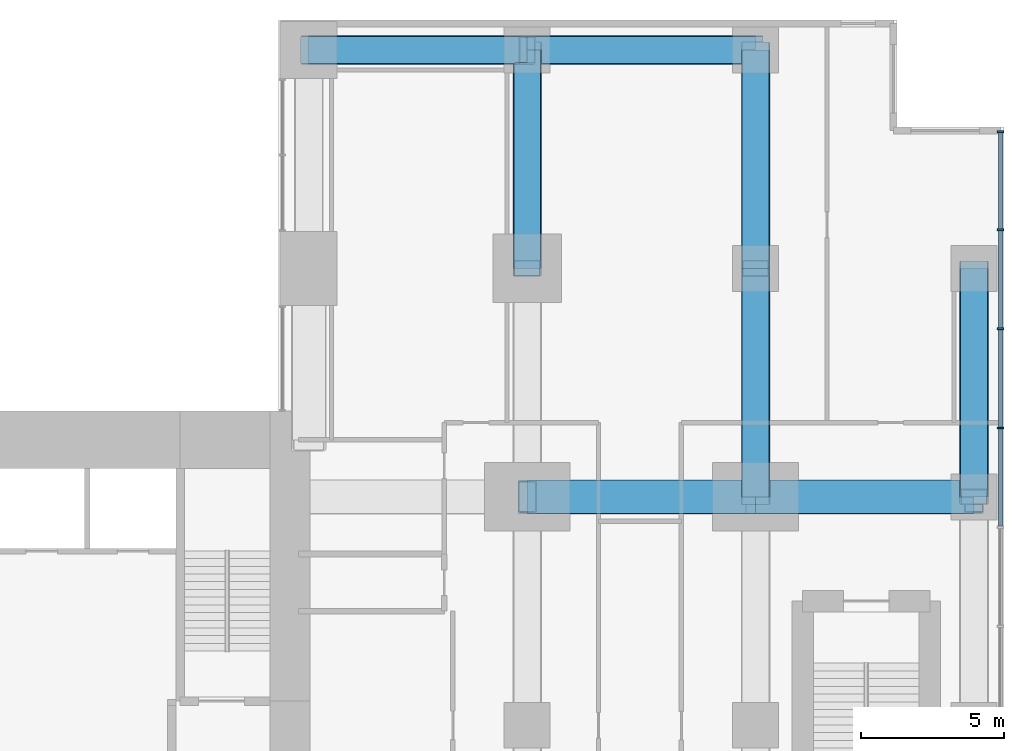
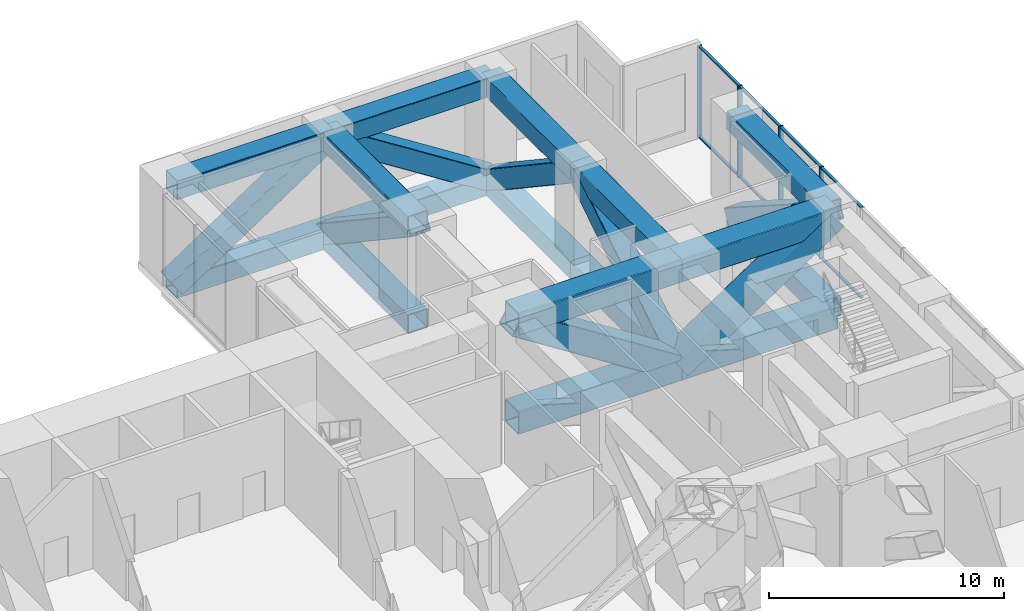
# One storey, part 5 of 10: 36 members, 1 element without a shape of its own.
"""IFC4 building model written with IfcOpenShell, lengths in metres."""

import ifcopenshell
import ifcopenshell.guid

model = None  # the IFC model being written
_history = None  # IfcOwnerHistory: only IFC2X3 demands one
_inside = {}  # id of a spatial element -> (the spatial element, [elements in it])
_under = {}  # id of a project, library or spatial element -> (it, [spatial elements below it])
_declared = {}  # id of a project -> (the project, [libraries it declares])
_typed = {}  # id of a type object -> (the type object, [elements of that type])
_made_of = {}  # id of a material, layer set ... -> (it, [elements and type objects made of it])


def new_model(schema):
    """Start an empty IFC model of exactly this schema.

    Asked for "IFC4X3", IfcOpenShell would pick the latest addendum, in which some entities
    have other attributes; the version numbers below select the first issue.
    IFC2X3 requires an IfcOwnerHistory on every rooted entity: one is made here for all.
    """
    global model, _history
    if schema == "IFC4X3":
        model = ifcopenshell.file(schema_version=(4, 3, 0, 0))
    else:
        model = ifcopenshell.file(schema=schema)
    _inside.clear()
    _under.clear()
    _declared.clear()
    _typed.clear()
    _made_of.clear()
    _history = None
    if model.schema == "IFC2X3":
        org = make("IfcOrganization", Name="unknown")
        user = make(
            "IfcPersonAndOrganization",
            ThePerson=make("IfcPerson", FamilyName="unknown"),
            TheOrganization=org,
        )
        app = make(
            "IfcApplication",
            ApplicationDeveloper=org,
            Version="unknown",
            ApplicationFullName="unknown",
            ApplicationIdentifier="unknown",
        )
        _history = make(
            "IfcOwnerHistory",
            OwningUser=user,
            OwningApplication=app,
            ChangeAction="ADDED",
            CreationDate=0,
        )
    return model


def make(cls, **values):
    """One entity of the class cls with the attributes given. An attribute that is None is left unset."""
    return model.create_entity(
        cls, **{name: value for name, value in values.items() if value is not None}
    )


def rooted(cls, **values):
    """An entity with a GlobalId (a new one), such as an element, a storey or a relation."""
    return make(cls, GlobalId=ifcopenshell.guid.new(), OwnerHistory=_history, **values)


def si_unit(unit_type, name, prefix=None):
    """IfcSIUnit, for example si_unit("LENGTHUNIT", "METRE", prefix="MILLI")."""
    return make("IfcSIUnit", UnitType=unit_type, Prefix=prefix, Name=name)


def assignment(units):
    """IfcUnitAssignment: the units of a project."""
    return None if units is None else make("IfcUnitAssignment", Units=units)


def point(xyz):
    """IfcCartesianPoint."""
    return None if xyz is None else make("IfcCartesianPoint", Coordinates=xyz)


def direction(xyz):
    """IfcDirection."""
    return None if xyz is None else make("IfcDirection", DirectionRatios=xyz)


def frame(location, z_axis=None, x_axis=None):
    """IfcAxis2Placement3D, a coordinate frame: its origin and axes. An axis left out is left unset."""
    return make(
        "IfcAxis2Placement3D",
        Location=point(location),
        Axis=direction(z_axis),
        RefDirection=direction(x_axis),
    )


def frame_2d(location, x_axis=None):
    """IfcAxis2Placement2D, a coordinate frame in the plane: its origin and x axis."""
    return make(
        "IfcAxis2Placement2D", Location=point(location), RefDirection=direction(x_axis)
    )


def origin():
    """The frame at (0, 0, 0) with its axes left unset."""
    return frame((0.0, 0.0, 0.0))


def origin_2d():
    """The frame at (0, 0) in the plane with its x axis left unset."""
    return frame_2d((0.0, 0.0))


def place(relative_to, where):
    """IfcLocalPlacement: puts the frame where relative to a parent placement (None: the world)."""
    return make(
        "IfcLocalPlacement", PlacementRelTo=relative_to, RelativePlacement=where
    )


def context(
    kind, dimensions, precision=None, world=None, true_north=None, identifier=None
):
    """IfcGeometricRepresentationContext, for example the 3D "Model" context."""
    return make(
        "IfcGeometricRepresentationContext",
        ContextIdentifier=identifier,
        ContextType=kind,
        CoordinateSpaceDimension=dimensions,
        Precision=precision,
        WorldCoordinateSystem=world,
        TrueNorth=true_north,
    )


def subcontext(parent, identifier, kind, view, scale=None):
    """IfcGeometricRepresentationSubContext, for example "Body" below "Model"."""
    return make(
        "IfcGeometricRepresentationSubContext",
        ContextIdentifier=identifier,
        ContextType=kind,
        ParentContext=parent,
        TargetScale=scale,
        TargetView=view,
    )


def project(units=None, contexts=None):
    """IfcProject with its units and contexts."""
    return rooted(
        "IfcProject",
        Name="project",
        RepresentationContexts=contexts,
        UnitsInContext=assignment(units),
    )


def spatial(cls, under=None, at=None, **own):
    """A site, building, storey or space (cls), placed at a placement, below another one or the project."""
    s = rooted(cls, ObjectPlacement=at, **own)
    if under is not None:
        _under.setdefault(under.id(), (under, []))[1].append(s)
    return s


def profile(cls, at=None, kind="AREA", **sizes):
    """A parametric profile (cls). Its sizes go by their IFC names, for example OverallWidth=200.0."""
    return make(cls, ProfileType=kind, Position=at, **sizes)


def rectangle(**sizes):
    """IfcRectangleProfileDef."""
    return profile("IfcRectangleProfileDef", **sizes)


def hollow_rectangle(**sizes):
    """IfcRectangleHollowProfileDef."""
    return profile("IfcRectangleHollowProfileDef", **sizes)


def extrude(swept, where, along, depth):
    """IfcExtrudedAreaSolid: the profile swept, set in the frame where, extruded along a direction by depth."""
    return make(
        "IfcExtrudedAreaSolid",
        SweptArea=swept,
        Position=where,
        ExtrudedDirection=direction(along),
        Depth=depth,
    )


def shape(context_of_items, identifier, shape_type, items):
    """IfcShapeRepresentation: the items that make up one representation, for example the "Body"."""
    return make(
        "IfcShapeRepresentation",
        ContextOfItems=context_of_items,
        RepresentationIdentifier=identifier,
        RepresentationType=shape_type,
        Items=items,
    )


def material(Name=None, Category=None):
    """IfcMaterial."""
    return make("IfcMaterial", Name=Name, Category=Category)


def layer(
    of_material, thickness, ventilated=None, Name=None, Category=None, Priority=None
):
    """IfcMaterialLayer: one layer of a wall or slab, of a material (None: an air gap)."""
    return make(
        "IfcMaterialLayer",
        Material=of_material,
        LayerThickness=thickness,
        IsVentilated=ventilated,
        Name=Name,
        Category=Category,
        Priority=Priority,
    )


def layer_set(layers, Name=None):
    """IfcMaterialLayerSet."""
    return make("IfcMaterialLayerSet", MaterialLayers=layers, LayerSetName=Name)


def material_profile(
    of_material, cross_section, Name=None, Category=None, Priority=None
):
    """IfcMaterialProfile: a cross section and its material."""
    return make(
        "IfcMaterialProfile",
        Name=Name,
        Material=of_material,
        Profile=cross_section,
        Priority=Priority,
        Category=Category,
    )


def profile_set(profiles, Name=None, composite=None):
    """IfcMaterialProfileSet."""
    return make(
        "IfcMaterialProfileSet",
        Name=Name,
        MaterialProfiles=profiles,
        CompositeProfile=composite,
    )


def made_of(thing, what):
    """Note that an element or type object is made of a material, layer set ...; save() writes the relation."""
    if what is not None:
        _made_of.setdefault(what.id(), (what, []))[1].append(thing)
    return thing


def type_object(cls, material=None, **own):
    """A type object (cls), such as IfcWallType, which elements share."""
    return made_of(rooted(cls, **own), material)


def element(
    cls,
    number,
    at=None,
    inside=None,
    cuts=None,
    type_object=None,
    material=None,
    context=None,
    identifier="Body",
    shape_type=None,
    held_by="IfcProductDefinitionShape",
    body=None,
    shapes=None,
    **own,
):
    """One element of the class cls, such as IfcWall. Its Tag is "e" and its number.

    at: its placement. inside: the storey or other place that contains it. cuts: it is an
    opening in that element (IfcRelVoidsElement). A single representation is given by context,
    identifier, shape_type and body (its items); several are given by shapes. held_by: the class
    of the entity that holds the representations. save() writes the other relations.
    """
    e = rooted(cls, Tag="e%d" % number, ObjectPlacement=at, **own)
    if body is not None:
        shapes = [shape(context, identifier, shape_type, body)]
    if shapes is not None:
        e.Representation = make(held_by, Representations=shapes)
    if inside is not None:
        _inside.setdefault(inside.id(), (inside, []))[1].append(e)
    if cuts is not None:
        rooted(
            "IfcRelVoidsElement", RelatingBuildingElement=cuts, RelatedOpeningElement=e
        )
    if type_object is not None:
        _typed.setdefault(type_object.id(), (type_object, []))[1].append(e)
    return made_of(e, material)


def aggregate(whole, parts):
    """IfcRelAggregates: a whole, such as a stair, and the parts it consists of."""
    return rooted("IfcRelAggregates", RelatingObject=whole, RelatedObjects=parts)


def save(model, path):
    """Write the relations noted so far, then the file.

    IfcRelAggregates (storeys below a building ...), IfcRelContainedInSpatialStructure (elements
    in a storey), IfcRelDefinesByType, IfcRelAssociatesMaterial and IfcRelDeclares: one each for
    every whole, place, type object, material and project.
    """
    for whole, parts in _under.values():
        aggregate(whole, parts)
    for where, things in _inside.values():
        rooted(
            "IfcRelContainedInSpatialStructure",
            RelatedElements=things,
            RelatingStructure=where,
        )
    for kind, things in _typed.values():
        rooted("IfcRelDefinesByType", RelatedObjects=things, RelatingType=kind)
    for what, things in _made_of.values():
        rooted("IfcRelAssociatesMaterial", RelatedObjects=things, RelatingMaterial=what)
    for by, libraries in _declared.values():
        rooted("IfcRelDeclares", RelatingContext=by, RelatedDefinitions=libraries)
    model.write(path)


model = new_model("IFC4")

# Units and contexts
model_context = context("Model", 3, precision=1e-05, world=origin(), true_north=direction((0.0, 1.0)))
body_context = subcontext(model_context, "Body", "Model", "MODEL_VIEW")
ifc_project = project(units=[si_unit("LENGTHUNIT", "METRE"), si_unit("AREAUNIT", "SQUARE_METRE"), si_unit("VOLUMEUNIT", "CUBIC_METRE"), si_unit("PLANEANGLEUNIT", "RADIAN"), si_unit("MASSUNIT", "GRAM", prefix="KILO")], contexts=[model_context])

# Site, building, storey
site_placement = place(None, origin())
site = spatial("IfcSite", under=ifc_project, at=site_placement, CompositionType="ELEMENT")
building_placement = place(site_placement, origin())
building = spatial("IfcBuilding", under=site, at=building_placement, Name="Cleftline Residences", CompositionType="ELEMENT")
storey_placement = place(building_placement, frame((0.0, 0.0, 225.39990234375)))
storey = spatial("IfcBuildingStorey", under=building, at=storey_placement, Name="L59", CompositionType="ELEMENT", Elevation=225.39990234375)

# Members
ifc_material_1 = material(Name="Steel S355", Category="steel")
ifc_material_profile_1 = material_profile(ifc_material_1, hollow_rectangle(XDim=1.0, YDim=1.0, WallThickness=0.0400390625, InnerFilletRadius=0.0400390625, OuterFilletRadius=0.06005859375, at=origin_2d()))
ifc_profile_set_1 = profile_set([ifc_material_profile_1], Name="Steel S355")
member_type_1 = type_object("IfcMemberType", Name="BRACE BOX 1000X1000X40", PredefinedType="BRACE", material=ifc_profile_set_1)
member_1_placement = place(storey_placement, frame((50.0, 40.0, 4.25), z_axis=(0.0, 0.832054379602, -0.55469406828), x_axis=(0.0, 0.55469406828, 0.832054379602)))
element("IfcMember", 1, at=member_1_placement, inside=storey, type_object=member_type_1, Name="Belt truss diagonal", PredefinedType="BRACE", context=body_context, shape_type="SweptSolid", body=[
    extrude(hollow_rectangle(XDim=1.0, YDim=1.0, WallThickness=0.0400390625, InnerFilletRadius=0.0400390625, OuterFilletRadius=0.06005859375, at=origin_2d()), origin(), (0.0, 0.0, 1.0), 9.194091796875),
])
member_2_placement = place(storey_placement, frame((58.0, 32.0, -0.849853515625), z_axis=(0.0, 0.843234196711, 0.537546360324), x_axis=(0.0, -0.537546360324, 0.843234196711)))
element("IfcMember", 2, at=member_2_placement, inside=storey, type_object=member_type_1, Name="Belt truss diagonal", PredefinedType="BRACE", context=body_context, shape_type="SweptSolid", body=[
    extrude(hollow_rectangle(XDim=1.0, YDim=1.0, WallThickness=0.0400390625, InnerFilletRadius=0.0400390625, OuterFilletRadius=0.06005859375, at=origin_2d()), origin(), (0.0, 0.0, 1.0), 9.4873046875),
])
member_3_placement = place(storey_placement, frame((58.0, 40.0, 4.25), z_axis=(0.0, 0.832054379602, -0.55469406828), x_axis=(0.0, 0.55469406828, 0.832054379602)))
element("IfcMember", 3, at=member_3_placement, inside=storey, type_object=member_type_1, Name="Belt truss diagonal", PredefinedType="BRACE", context=body_context, shape_type="SweptSolid", body=[
    extrude(hollow_rectangle(XDim=1.0, YDim=1.0, WallThickness=0.0400390625, InnerFilletRadius=0.0400390625, OuterFilletRadius=0.06005859375, at=origin_2d()), origin(), (0.0, 0.0, 1.0), 9.194091796875),
])
member_4_placement = place(storey_placement, frame((65.64990234375, 32.0, 4.25), z_axis=(0.0, 0.843234196711, -0.537546360324), x_axis=(0.0, 0.537546360324, 0.843234196711)))
element("IfcMember", 4, at=member_4_placement, inside=storey, type_object=member_type_1, Name="Belt truss diagonal", PredefinedType="BRACE", context=body_context, shape_type="SweptSolid", body=[
    extrude(hollow_rectangle(XDim=1.0, YDim=1.0, WallThickness=0.0400390625, InnerFilletRadius=0.0400390625, OuterFilletRadius=0.06005859375, at=origin_2d()), origin(), (0.0, 0.0, 1.0), 9.4873046875),
])
member_5_placement = place(storey_placement, frame((42.35009765625, 47.64990234375, -0.849853515625), z_axis=(0.832054379602, 0.0, 0.55469406828), x_axis=(-0.55469406828, 0.0, 0.832054379602)))
element("IfcMember", 5, at=member_5_placement, inside=storey, type_object=member_type_1, Name="Belt truss diagonal", PredefinedType="BRACE", context=body_context, shape_type="SweptSolid", body=[
    extrude(hollow_rectangle(XDim=1.0, YDim=1.0, WallThickness=0.0400390625, InnerFilletRadius=0.0400390625, OuterFilletRadius=0.06005859375, at=origin_2d()), origin(), (0.0, 0.0, 1.0), 9.194091796875),
])
member_6_placement = place(storey_placement, frame((50.0, 47.64990234375, 4.25), z_axis=(0.843234196711, 0.0, -0.537546360324), x_axis=(0.537546360324, 0.0, 0.843234196711)))
element("IfcMember", 6, at=member_6_placement, inside=storey, type_object=member_type_1, Name="Belt truss diagonal", PredefinedType="BRACE", context=body_context, shape_type="SweptSolid", body=[
    extrude(hollow_rectangle(XDim=1.0, YDim=1.0, WallThickness=0.0400390625, InnerFilletRadius=0.0400390625, OuterFilletRadius=0.06005859375, at=origin_2d()), origin(), (0.0, 0.0, 1.0), 9.4873046875),
])
ifc_material_2 = material(Name="Steel S355", Category="steel")
ifc_material_profile_2 = material_profile(ifc_material_2, hollow_rectangle(XDim=1.199951171875, YDim=1.199951171875, WallThickness=0.06005859375, InnerFilletRadius=0.06005859375, OuterFilletRadius=0.090087890625, at=origin_2d()))
ifc_profile_set_2 = profile_set([ifc_material_profile_2], Name="Steel S355")
member_type_2 = type_object("IfcMemberType", Name="BRACE BOX 1200X1200X60", PredefinedType="BRACE", material=ifc_profile_set_2)
member_7_placement = place(storey_placement, frame((50.0, 32.0, 4.150146484375), z_axis=(0.843222532273, 0.0, -0.537564657568), x_axis=(0.537564657568, 0.0, 0.843222532273)))
element("IfcMember", 7, at=member_7_placement, inside=storey, type_object=member_type_2, Name="Outrigger truss diagonal", PredefinedType="BRACE", context=body_context, shape_type="SweptSolid", body=[
    extrude(hollow_rectangle(XDim=1.199951171875, YDim=1.199951171875, WallThickness=0.06005859375, InnerFilletRadius=0.06005859375, OuterFilletRadius=0.090087890625, at=origin_2d()), origin(), (0.0, 0.0, 1.0), 9.4873046875),
])
member_8_placement = place(storey_placement, frame((58.0, 32.0, -0.949951171875), z_axis=(0.832042123795, 0.0, 0.554712451844), x_axis=(-0.554712451844, 0.0, 0.832042123795)))
element("IfcMember", 8, at=member_8_placement, inside=storey, type_object=member_type_2, Name="Outrigger truss diagonal", PredefinedType="BRACE", context=body_context, shape_type="SweptSolid", body=[
    extrude(hollow_rectangle(XDim=1.199951171875, YDim=1.199951171875, WallThickness=0.06005859375, InnerFilletRadius=0.06005859375, OuterFilletRadius=0.090087890625, at=origin_2d()), origin(), (0.0, 0.0, 1.0), 9.194091796875),
])
ifc_material_3 = material(Name="Steel S355", Category="steel")
ifc_material_profile_3 = material_profile(ifc_material_3, hollow_rectangle(XDim=1.0, YDim=1.0, WallThickness=0.0400390625, InnerFilletRadius=0.0400390625, OuterFilletRadius=0.06005859375, at=origin_2d()))
ifc_profile_set_3 = profile_set([ifc_material_profile_3], Name="Steel S355")
member_type_3 = type_object("IfcMemberType", Name="CHORD BOX 1000X1000X40", PredefinedType="CHORD", material=ifc_profile_set_3)
for number, where, z_axis, x_axis, name in (
    (9, (50.0, 40.0, -0.849853515625), (0.0, 1.0, 0.0), (-1.0, 0.0, 0.0), "Belt truss bottom chord"),
    (10, (50.0, 40.0, 4.25), (0.0, 1.0, 0.0), (-1.0, 0.0, 0.0), "Belt truss top chord"),
):
    element("IfcMember", number, at=place(storey_placement, frame(where, z_axis=z_axis, x_axis=x_axis)), inside=storey, type_object=member_type_3, Name=name, PredefinedType="CHORD", context=body_context, shape_type="SweptSolid", body=[
        extrude(hollow_rectangle(XDim=1.0, YDim=1.0, WallThickness=0.0400390625, InnerFilletRadius=0.0400390625, OuterFilletRadius=0.06005859375, at=origin_2d()), origin(), (0.0, 0.0, 1.0), 7.64990234375),
    ])
for number, where, z_axis, x_axis, name in (
    (11, (58.0, 32.0, -0.849853515625), (0.0, 1.0, 0.0), (-1.0, 0.0, 0.0), "Belt truss bottom chord"),
    (12, (58.0, 32.0, 4.25), (0.0, 1.0, 0.0), (-1.0, 0.0, 0.0), "Belt truss top chord"),
):
    element("IfcMember", number, at=place(storey_placement, frame(where, z_axis=z_axis, x_axis=x_axis)), inside=storey, type_object=member_type_3, Name=name, PredefinedType="CHORD", context=body_context, shape_type="SweptSolid", body=[
        extrude(hollow_rectangle(XDim=1.0, YDim=1.0, WallThickness=0.0400390625, InnerFilletRadius=0.0400390625, OuterFilletRadius=0.06005859375, at=origin_2d()), origin(), (0.0, 0.0, 1.0), 8.0),
    ])
for number, where, z_axis, x_axis, name in (
    (13, (58.0, 40.0, -0.849853515625), (0.0, 1.0, 0.0), (-1.0, 0.0, 0.0), "Belt truss bottom chord"),
    (14, (58.0, 40.0, 4.25), (0.0, 1.0, 0.0), (-1.0, 0.0, 0.0), "Belt truss top chord"),
):
    element("IfcMember", number, at=place(storey_placement, frame(where, z_axis=z_axis, x_axis=x_axis)), inside=storey, type_object=member_type_3, Name=name, PredefinedType="CHORD", context=body_context, shape_type="SweptSolid", body=[
        extrude(hollow_rectangle(XDim=1.0, YDim=1.0, WallThickness=0.0400390625, InnerFilletRadius=0.0400390625, OuterFilletRadius=0.06005859375, at=origin_2d()), origin(), (0.0, 0.0, 1.0), 7.64990234375),
    ])
for number, where, z_axis, x_axis, name in (
    (15, (65.64990234375, 32.0, -0.849853515625), (0.0, 1.0, 0.0), (-1.0, 0.0, 0.0), "Belt truss bottom chord"),
    (16, (65.64990234375, 32.0, 4.25), (0.0, 1.0, 0.0), (-1.0, 0.0, 0.0), "Belt truss top chord"),
):
    element("IfcMember", number, at=place(storey_placement, frame(where, z_axis=z_axis, x_axis=x_axis)), inside=storey, type_object=member_type_3, Name=name, PredefinedType="CHORD", context=body_context, shape_type="SweptSolid", body=[
        extrude(hollow_rectangle(XDim=1.0, YDim=1.0, WallThickness=0.0400390625, InnerFilletRadius=0.0400390625, OuterFilletRadius=0.06005859375, at=origin_2d()), origin(), (0.0, 0.0, 1.0), 8.0),
    ])
for number, where, z_axis, x_axis, name in (
    (17, (42.35009765625, 47.64990234375, -0.849853515625), (1.0, 0.0, 0.0), (0.0, 1.0, 0.0), "Belt truss bottom chord"),
    (18, (42.35009765625, 47.64990234375, 4.25), (1.0, 0.0, 0.0), (0.0, 1.0, 0.0), "Belt truss top chord"),
):
    element("IfcMember", number, at=place(storey_placement, frame(where, z_axis=z_axis, x_axis=x_axis)), inside=storey, type_object=member_type_3, Name=name, PredefinedType="CHORD", context=body_context, shape_type="SweptSolid", body=[
        extrude(hollow_rectangle(XDim=1.0, YDim=1.0, WallThickness=0.0400390625, InnerFilletRadius=0.0400390625, OuterFilletRadius=0.06005859375, at=origin_2d()), origin(), (0.0, 0.0, 1.0), 7.64990234375),
    ])
for number, where, z_axis, x_axis, name in (
    (19, (50.0, 47.64990234375, -0.849853515625), (1.0, 0.0, 0.0), (0.0, 1.0, 0.0), "Belt truss bottom chord"),
    (20, (50.0, 47.64990234375, 4.25), (1.0, 0.0, 0.0), (0.0, 1.0, 0.0), "Belt truss top chord"),
):
    element("IfcMember", number, at=place(storey_placement, frame(where, z_axis=z_axis, x_axis=x_axis)), inside=storey, type_object=member_type_3, Name=name, PredefinedType="CHORD", context=body_context, shape_type="SweptSolid", body=[
        extrude(hollow_rectangle(XDim=1.0, YDim=1.0, WallThickness=0.0400390625, InnerFilletRadius=0.0400390625, OuterFilletRadius=0.06005859375, at=origin_2d()), origin(), (0.0, 0.0, 1.0), 8.0),
    ])
ifc_material_4 = material(Name="Steel S355", Category="steel")
ifc_material_profile_4 = material_profile(ifc_material_4, hollow_rectangle(XDim=1.199951171875, YDim=1.199951171875, WallThickness=0.06005859375, InnerFilletRadius=0.06005859375, OuterFilletRadius=0.090087890625, at=origin_2d()))
ifc_profile_set_4 = profile_set([ifc_material_profile_4], Name="Steel S355")
member_type_4 = type_object("IfcMemberType", Name="CHORD BOX 1200X1200X60", PredefinedType="CHORD", material=ifc_profile_set_4)
for number, where, z_axis, x_axis, name in (
    (21, (50.0, 32.0, -0.949951171875), (1.0, 0.0, 0.0), (0.0, 1.0, 0.0), "Outrigger truss bottom chord"),
    (22, (50.0, 32.0, 4.150146484375), (1.0, 0.0, 0.0), (0.0, 1.0, 0.0), "Outrigger truss top chord"),
):
    element("IfcMember", number, at=place(storey_placement, frame(where, z_axis=z_axis, x_axis=x_axis)), inside=storey, type_object=member_type_4, Name=name, PredefinedType="CHORD", context=body_context, shape_type="SweptSolid", body=[
        extrude(hollow_rectangle(XDim=1.199951171875, YDim=1.199951171875, WallThickness=0.06005859375, InnerFilletRadius=0.06005859375, OuterFilletRadius=0.090087890625, at=origin_2d()), origin(), (0.0, 0.0, 1.0), 8.0),
    ])
for number, where, z_axis, x_axis, name in (
    (23, (58.0, 32.0, -0.949951171875), (1.0, 0.0, 0.0), (0.0, 1.0, 0.0), "Outrigger truss bottom chord"),
    (24, (58.0, 32.0, 4.150146484375), (1.0, 0.0, 0.0), (0.0, 1.0, 0.0), "Outrigger truss top chord"),
):
    element("IfcMember", number, at=place(storey_placement, frame(where, z_axis=z_axis, x_axis=x_axis)), inside=storey, type_object=member_type_4, Name=name, PredefinedType="CHORD", context=body_context, shape_type="SweptSolid", body=[
        extrude(hollow_rectangle(XDim=1.199951171875, YDim=1.199951171875, WallThickness=0.06005859375, InnerFilletRadius=0.06005859375, OuterFilletRadius=0.090087890625, at=origin_2d()), origin(), (0.0, 0.0, 1.0), 7.64990234375),
    ])

# Curtain wall, members
ifc_material_5 = material(Name="Aluminium framed curtain wall", Category="aluminium")
ifc_layer = layer(ifc_material_5, 0.199951171875)
ifc_layer_set = layer_set([ifc_layer], Name="CW4 SKY LOUNGE GLAZING")
curtain_wall_type = type_object("IfcCurtainWallType", Name="CW4 SKY LOUNGE GLAZING", PredefinedType="NOTDEFINED", material=ifc_layer_set)
curtain_wall_placement = place(storey_placement, origin())
curtain_wall = element("IfcCurtainWall", 25, at=curtain_wall_placement, inside=storey, type_object=curtain_wall_type, Name="Curtain wall CW4", PredefinedType="NOTDEFINED")
ifc_material_6 = material(Name="Aluminium mullion", Category="aluminium")
ifc_material_profile_5 = material_profile(ifc_material_6, rectangle(XDim=0.219970703125, YDim=0.06494140625, at=origin_2d()))
ifc_profile_set_5 = profile_set([ifc_material_profile_5], Name="Aluminium mullion")
member_type_5 = type_object("IfcMemberType", Name="CW4 MULLION", PredefinedType="MULLION", material=ifc_profile_set_5)
member_9_placement = place(storey_placement, frame((66.574951171875, 34.41259765625, 0.0), z_axis=(0.0, 0.0, 1.0), x_axis=(-1.0, 0.0, 0.0)))
member_9 = element("IfcMember", 26, at=member_9_placement, type_object=member_type_5, Name="CW4 mullion 10", PredefinedType="MULLION", context=body_context, shape_type="SweptSolid", body=[
    extrude(rectangle(XDim=0.219970703125, YDim=0.06494140625, at=origin_2d()), origin(), (0.0, 0.0, 1.0), 4.75),
])
member_10_placement = place(storey_placement, frame((66.574951171875, 37.88330078125, 0.0), z_axis=(0.0, 0.0, 1.0), x_axis=(-1.0, 0.0, 0.0)))
member_10 = element("IfcMember", 27, at=member_10_placement, type_object=member_type_5, Name="CW4 mullion 11", PredefinedType="MULLION", context=body_context, shape_type="SweptSolid", body=[
    extrude(rectangle(XDim=0.219970703125, YDim=0.06494140625, at=origin_2d()), origin(), (0.0, 0.0, 1.0), 4.75),
])
member_11_placement = place(storey_placement, frame((66.574951171875, 41.354248046875, 0.0), z_axis=(0.0, 0.0, 1.0), x_axis=(-1.0, 0.0, 0.0)))
member_11 = element("IfcMember", 28, at=member_11_placement, type_object=member_type_5, Name="CW4 mullion 12", PredefinedType="MULLION", context=body_context, shape_type="SweptSolid", body=[
    extrude(rectangle(XDim=0.219970703125, YDim=0.06494140625, at=origin_2d()), origin(), (0.0, 0.0, 1.0), 4.75),
])
member_12_placement = place(storey_placement, frame((66.574951171875, 44.79248046875, 0.0), z_axis=(0.0, 0.0, 1.0), x_axis=(-1.0, 0.0, 0.0)))
member_12 = element("IfcMember", 29, at=member_12_placement, type_object=member_type_5, Name="CW4 mullion 13", PredefinedType="MULLION", context=body_context, shape_type="SweptSolid", body=[
    extrude(rectangle(XDim=0.219970703125, YDim=0.06494140625, at=origin_2d()), origin(), (0.0, 0.0, 1.0), 4.75),
])
ifc_material_7 = material(Name="Aluminium transom", Category="aluminium")
ifc_material_profile_6 = material_profile(ifc_material_7, rectangle(XDim=0.132080078125, YDim=0.06494140625, at=origin_2d()))
ifc_profile_set_6 = profile_set([ifc_material_profile_6], Name="Aluminium transom")
member_type_6 = type_object("IfcMemberType", Name="CW4 TRANSOM", PredefinedType="USERDEFINED", material=ifc_profile_set_6)
member_13_placement = place(storey_placement, frame((66.574951171875, 30.97412109375, 0.03271484375), z_axis=(0.0, 1.0, 0.0), x_axis=(-1.0, 0.0, 0.0)))
member_13 = element("IfcMember", 30, at=member_13_placement, type_object=member_type_6, Name="CW4 transom 9.1", ObjectType="TRANSOM", PredefinedType="USERDEFINED", context=body_context, shape_type="SweptSolid", body=[
    extrude(rectangle(XDim=0.132080078125, YDim=0.06494140625, at=origin_2d()), origin(), (0.0, 0.0, 1.0), 3.40576171875),
])
member_14_placement = place(storey_placement, frame((66.574951171875, 30.97412109375, 4.717529296875), z_axis=(0.0, 1.0, 0.0), x_axis=(-1.0, 0.0, 0.0)))
member_14 = element("IfcMember", 31, at=member_14_placement, type_object=member_type_6, Name="CW4 transom 9.2", ObjectType="TRANSOM", PredefinedType="USERDEFINED", context=body_context, shape_type="SweptSolid", body=[
    extrude(rectangle(XDim=0.132080078125, YDim=0.06494140625, at=origin_2d()), origin(), (0.0, 0.0, 1.0), 3.40576171875),
])
member_15_placement = place(storey_placement, frame((66.574951171875, 34.445068359375, 0.03271484375), z_axis=(0.0, 1.0, 0.0), x_axis=(-1.0, 0.0, 0.0)))
member_15 = element("IfcMember", 32, at=member_15_placement, type_object=member_type_6, Name="CW4 transom 10.1", ObjectType="TRANSOM", PredefinedType="USERDEFINED", context=body_context, shape_type="SweptSolid", body=[
    extrude(rectangle(XDim=0.132080078125, YDim=0.06494140625, at=origin_2d()), origin(), (0.0, 0.0, 1.0), 3.40576171875),
])
member_16_placement = place(storey_placement, frame((66.574951171875, 34.445068359375, 4.717529296875), z_axis=(0.0, 1.0, 0.0), x_axis=(-1.0, 0.0, 0.0)))
member_16 = element("IfcMember", 33, at=member_16_placement, type_object=member_type_6, Name="CW4 transom 10.2", ObjectType="TRANSOM", PredefinedType="USERDEFINED", context=body_context, shape_type="SweptSolid", body=[
    extrude(rectangle(XDim=0.132080078125, YDim=0.06494140625, at=origin_2d()), origin(), (0.0, 0.0, 1.0), 3.40576171875),
])
member_17_placement = place(storey_placement, frame((66.574951171875, 37.915771484375, 0.03271484375), z_axis=(0.0, 1.0, 0.0), x_axis=(-1.0, 0.0, 0.0)))
member_17 = element("IfcMember", 34, at=member_17_placement, type_object=member_type_6, Name="CW4 transom 11.1", ObjectType="TRANSOM", PredefinedType="USERDEFINED", context=body_context, shape_type="SweptSolid", body=[
    extrude(rectangle(XDim=0.132080078125, YDim=0.06494140625, at=origin_2d()), origin(), (0.0, 0.0, 1.0), 3.406005859375),
])
member_18_placement = place(storey_placement, frame((66.574951171875, 37.915771484375, 4.717529296875), z_axis=(0.0, 1.0, 0.0), x_axis=(-1.0, 0.0, 0.0)))
member_18 = element("IfcMember", 35, at=member_18_placement, type_object=member_type_6, Name="CW4 transom 11.2", ObjectType="TRANSOM", PredefinedType="USERDEFINED", context=body_context, shape_type="SweptSolid", body=[
    extrude(rectangle(XDim=0.132080078125, YDim=0.06494140625, at=origin_2d()), origin(), (0.0, 0.0, 1.0), 3.406005859375),
])
member_19_placement = place(storey_placement, frame((66.574951171875, 41.38671875, 0.03271484375), z_axis=(0.0, 1.0, 0.0), x_axis=(-1.0, 0.0, 0.0)))
member_19 = element("IfcMember", 36, at=member_19_placement, type_object=member_type_6, Name="CW4 transom 12.1", ObjectType="TRANSOM", PredefinedType="USERDEFINED", context=body_context, shape_type="SweptSolid", body=[
    extrude(rectangle(XDim=0.132080078125, YDim=0.06494140625, at=origin_2d()), origin(), (0.0, 0.0, 1.0), 3.373291015625),
])
member_20_placement = place(storey_placement, frame((66.574951171875, 41.38671875, 4.717529296875), z_axis=(0.0, 1.0, 0.0), x_axis=(-1.0, 0.0, 0.0)))
member_20 = element("IfcMember", 37, at=member_20_placement, type_object=member_type_6, Name="CW4 transom 12.2", ObjectType="TRANSOM", PredefinedType="USERDEFINED", context=body_context, shape_type="SweptSolid", body=[
    extrude(rectangle(XDim=0.132080078125, YDim=0.06494140625, at=origin_2d()), origin(), (0.0, 0.0, 1.0), 3.373291015625),
])
aggregate(curtain_wall, [member_9, member_10, member_11, member_12, member_13, member_14, member_15, member_16, member_17, member_18, member_19, member_20])

save(model, "model.ifc")
